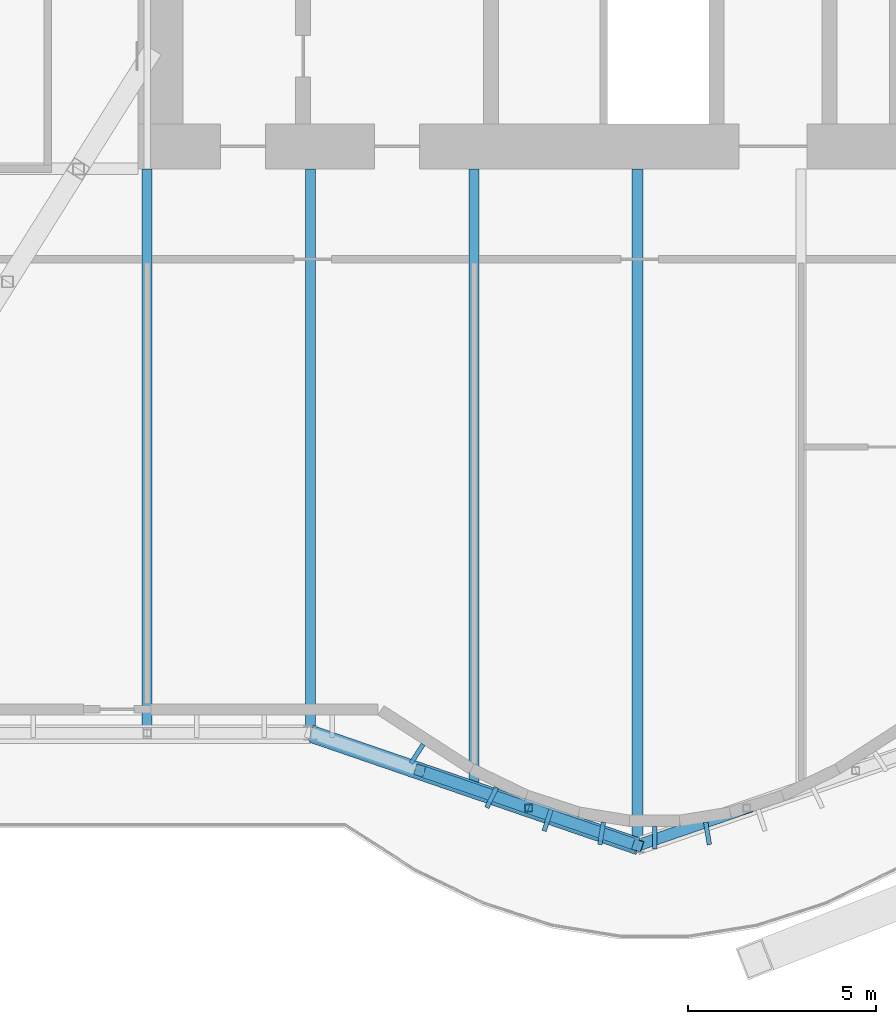
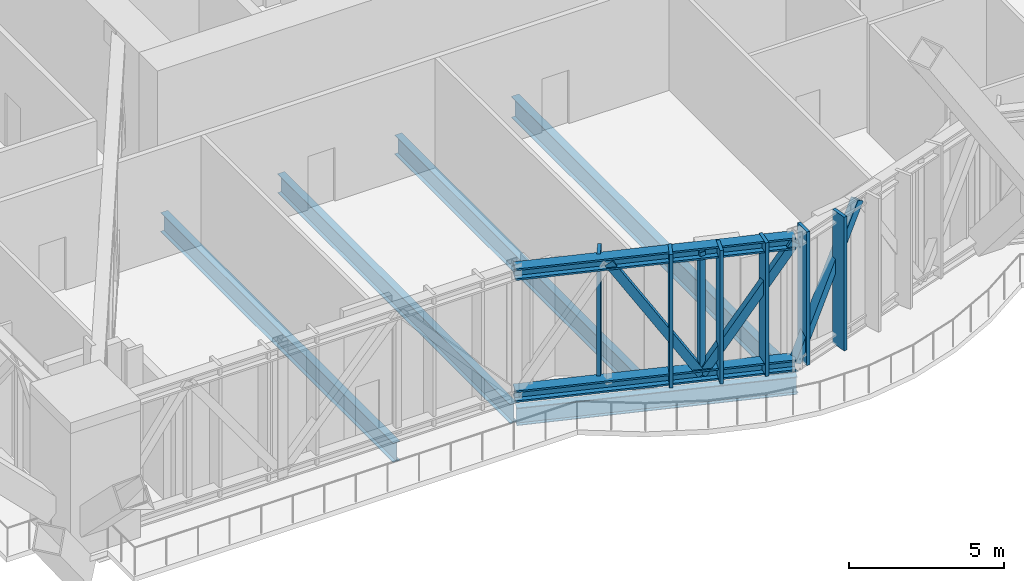
# One storey, part 6 of 31: 12 members, 5 beams, 1 element without a shape of its own.
"""IFC4 building model written with IfcOpenShell, lengths in metres."""

from ifc_helpers import new_model, si_unit, direction, frame, origin, origin_2d, place, context, subcontext, project, spatial, rectangle, hollow_rectangle, i_section, extrude, material, material_profile, profile_set, type_object, element, aggregate, save


model = new_model("IFC4")

# Units and contexts
model_context = context("Model", 3, precision=1e-05, world=origin(), true_north=direction((0.0, 1.0)))
body_context = subcontext(model_context, "Body", "Model", "MODEL_VIEW")
ifc_project = project(units=[si_unit("LENGTHUNIT", "METRE"), si_unit("AREAUNIT", "SQUARE_METRE"), si_unit("VOLUMEUNIT", "CUBIC_METRE"), si_unit("PLANEANGLEUNIT", "RADIAN"), si_unit("MASSUNIT", "GRAM", prefix="KILO")], contexts=[model_context])

# Site, building, storey
site_placement = place(None, origin())
site = spatial("IfcSite", under=ifc_project, at=site_placement, CompositionType="ELEMENT")
building_placement = place(site_placement, origin())
building = spatial("IfcBuilding", under=site, at=building_placement, Name="Bicima Exchange Tower", CompositionType="ELEMENT")
storey_placement = place(building_placement, frame((0.0, 0.0, 236.0)))
storey = spatial("IfcBuildingStorey", under=building, at=storey_placement, Name="L53", CompositionType="ELEMENT", Elevation=236.0)

# Curtain wall, members
ifc_material_1 = material(Name="Anodised bronze aluminium", Category="aluminium")
curtain_wall_type = type_object("IfcCurtainWallType", Name="Band blade screen", PredefinedType="NOTDEFINED", material=ifc_material_1)
curtain_wall_placement = place(storey_placement, origin())
curtain_wall = element("IfcCurtainWall", 1, at=curtain_wall_placement, inside=storey, type_object=curtain_wall_type, Name="Band blade screen L53", PredefinedType="NOTDEFINED")
ifc_material_profile_1 = material_profile(ifc_material_1, rectangle(XDim=0.60009765625, YDim=0.1201171875, at=origin_2d()))
ifc_profile_set_1 = profile_set([ifc_material_profile_1], Name="Anodised bronze aluminium")
member_type_1 = type_object("IfcMemberType", Name="Band blade fin 600 x 120", PredefinedType="USERDEFINED", material=ifc_profile_set_1)
member_1_placement = place(storey_placement, frame((-14.5703125, -28.564453125, 0.0), z_axis=(0.0, 0.0, 1.0), x_axis=(0.542916511621, 0.839786676132, 0.0)))
member_1 = element("IfcMember", 2, at=member_1_placement, type_object=member_type_1, Name="Band blade fin 25", ObjectType="FIN", PredefinedType="USERDEFINED", context=body_context, shape_type="SweptSolid", body=[
    extrude(rectangle(XDim=0.60009765625, YDim=0.1201171875, at=origin_2d()), origin(), (0.0, 0.0, 1.0), 5.25),
])
member_2_placement = place(storey_placement, frame((-12.583740234375, -29.7265625, 0.0), z_axis=(0.0, 0.0, 1.0), x_axis=(0.436286748784, 0.899807686584, 0.0)))
member_2 = element("IfcMember", 3, at=member_2_placement, type_object=member_type_1, Name="Band blade fin 26", ObjectType="FIN", PredefinedType="USERDEFINED", context=body_context, shape_type="SweptSolid", body=[
    extrude(rectangle(XDim=0.60009765625, YDim=0.1201171875, at=origin_2d()), origin(), (0.0, 0.0, 1.0), 5.25),
])
member_3_placement = place(storey_placement, frame((-11.096435546875, -30.330078125, 0.0), z_axis=(0.0, 0.0, 1.0), x_axis=(0.307552591055, 0.951531083956, 0.0)))
member_3 = element("IfcMember", 4, at=member_3_placement, type_object=member_type_1, Name="Band blade fin 27", ObjectType="FIN", PredefinedType="USERDEFINED", context=body_context, shape_type="SweptSolid", body=[
    extrude(rectangle(XDim=0.60009765625, YDim=0.1201171875, at=origin_2d()), origin(), (0.0, 0.0, 1.0), 5.25),
])
member_4_placement = place(storey_placement, frame((-9.65869140625, -30.680419921875, 0.0), z_axis=(0.0, 0.0, 1.0), x_axis=(0.159533156447, 0.987192570877, 0.0)))
member_4 = element("IfcMember", 5, at=member_4_placement, type_object=member_type_1, Name="Band blade fin 28", ObjectType="FIN", PredefinedType="USERDEFINED", context=body_context, shape_type="SweptSolid", body=[
    extrude(rectangle(XDim=0.60009765625, YDim=0.1201171875, at=origin_2d()), origin(), (0.0, 0.0, 1.0), 5.25),
])
member_5_placement = place(storey_placement, frame((-8.25, -30.794921875, 0.0), z_axis=(0.0, 0.0, 1.0), x_axis=(0.0, 1.0, 0.0)))
member_5 = element("IfcMember", 6, at=member_5_placement, type_object=member_type_1, Name="Band blade fin 29", ObjectType="FIN", PredefinedType="USERDEFINED", context=body_context, shape_type="SweptSolid", body=[
    extrude(rectangle(XDim=0.60009765625, YDim=0.1201171875, at=origin_2d()), origin(), (0.0, 0.0, 1.0), 5.25),
])
member_6_placement = place(storey_placement, frame((-6.84130859375, -30.680419921875, 0.0), z_axis=(0.0, 0.0, 1.0), x_axis=(-0.159533156447, 0.987192570877, 0.0)))
member_6 = element("IfcMember", 7, at=member_6_placement, type_object=member_type_1, Name="Band blade fin 30", ObjectType="FIN", PredefinedType="USERDEFINED", context=body_context, shape_type="SweptSolid", body=[
    extrude(rectangle(XDim=0.60009765625, YDim=0.1201171875, at=origin_2d()), origin(), (0.0, 0.0, 1.0), 5.25),
])
aggregate(curtain_wall, [member_1, member_2, member_3, member_4, member_5, member_6])

# Members
ifc_material_2 = material(Name="Steel ASTM A992 Gr 50", Category="steel")
ifc_material_profile_2 = material_profile(ifc_material_2, i_section(OverallWidth=0.419189453125, OverallDepth=0.45458984375, WebThickness=0.042236328125, FlangeThickness=0.067626953125, at=origin_2d()))
ifc_profile_set_2 = profile_set([ifc_material_profile_2], Name="Steel ASTM A992 Gr 50")
member_type_2 = type_object("IfcMemberType", Name="Belt truss chord W14x370", PredefinedType="CHORD", material=ifc_profile_set_2)
for number, where, z_axis, x_axis, name in (
    (8, (-17.39990234375, -28.010009765625, 5.022705078125), (0.945666456746, -0.325138359143, 0.0), (0.325138359143, 0.945666456746, 0.0), "Top chord"),
    (9, (-17.39990234375, -28.010009765625, 0.227294921875), (0.945666456746, -0.325138359143, 0.0), (0.325138359143, 0.945666456746, 0.0), "Bottom chord"),
):
    element("IfcMember", number, at=place(storey_placement, frame(where, z_axis=z_axis, x_axis=x_axis)), inside=storey, type_object=member_type_2, Name=name, PredefinedType="CHORD", context=body_context, shape_type="SweptSolid", body=[
        extrude(i_section(OverallWidth=0.419189453125, OverallDepth=0.45458984375, WebThickness=0.042236328125, FlangeThickness=0.067626953125, at=origin_2d()), origin(), (0.0, 0.0, 1.0), 9.19970703125),
    ])
ifc_material_3 = material(Name="Steel ASTM A572 Gr 50", Category="steel")
ifc_material_profile_3 = material_profile(ifc_material_3, hollow_rectangle(XDim=0.3046875, YDim=0.3046875, WallThickness=0.01171875, at=origin_2d()))
ifc_profile_set_3 = profile_set([ifc_material_profile_3], Name="Steel ASTM A572 Gr 50")
member_type_3 = type_object("IfcMemberType", Name="Belt truss diagonal HSS12x12x1/2", PredefinedType="STRUT", material=ifc_profile_set_3)
for number, where, z_axis, x_axis, name in (
    (10, (-14.5, -29.007080078125, 5.022705078125), (0.509468344066, -0.175127062538, -0.842479980986), (0.325075318312, 0.945688129049, 0.0), "Truss diagonal"),
    (11, (-11.60009765625, -30.00390625, 0.227294921875), (0.509492446291, -0.175206384637, 0.842448912371), (0.325193231743, 0.945647588708, 0.0), "Truss diagonal"),
    (12, (-8.699951171875, -31.001220703125, 0.227294921875), (0.509460688613, 0.17521021325, 0.842467321581), (-0.325217713975, 0.945639169301, 0.0), "Truss diagonal"),
):
    element("IfcMember", number, at=place(storey_placement, frame(where, z_axis=z_axis, x_axis=x_axis)), inside=storey, type_object=member_type_3, Name=name, PredefinedType="STRUT", context=body_context, shape_type="SweptSolid", body=[
        extrude(hollow_rectangle(XDim=0.3046875, YDim=0.3046875, WallThickness=0.01171875, at=origin_2d()), origin(), (0.0, 0.0, 1.0), 5.692138671875),
    ])
ifc_material_profile_4 = material_profile(ifc_material_3, hollow_rectangle(XDim=0.203125, YDim=0.203125, WallThickness=0.01171875, at=origin_2d()))
ifc_profile_set_4 = profile_set([ifc_material_profile_4], Name="Steel ASTM A572 Gr 50")
member_type_4 = type_object("IfcMemberType", Name="Belt truss post HSS8x8x1/2", PredefinedType="POST", material=ifc_profile_set_4)
member_7_placement = place(storey_placement, frame((-11.60009765625, -30.00390625, 0.227294921875), z_axis=(0.0, 0.0, 1.0), x_axis=(1.0, 0.0, 0.0)))
element("IfcMember", 13, at=member_7_placement, inside=storey, type_object=member_type_4, Name="Truss post", PredefinedType="POST", context=body_context, shape_type="SweptSolid", body=[
    extrude(hollow_rectangle(XDim=0.203125, YDim=0.203125, WallThickness=0.01171875, at=origin_2d()), origin(), (0.0, 0.0, 1.0), 4.79541015625),
])

# Beams
ifc_material_profile_5 = material_profile(ifc_material_2, i_section(OverallWidth=0.2666015625, OverallDepth=0.75439453125, WebThickness=0.01318359375, FlangeThickness=0.01708984375, at=origin_2d()))
ifc_profile_set_5 = profile_set([ifc_material_profile_5], Name="Steel ASTM A992 Gr 50")
beam_type_1 = type_object("IfcBeamType", Name="Floor beam W30x99", PredefinedType="JOIST", material=ifc_profile_set_5)
for number, where, z_axis, x_axis, name in (
    (14, (-21.75, -13.0, -0.5771484375), (0.0, -1.0, 0.0), (1.0, 0.0, 0.0), "Floor beam"),
    (15, (-17.39990234375, -13.0, -0.5771484375), (0.0, -1.0, 0.0), (1.0, 0.0, 0.0), "Floor beam"),
):
    element("IfcBeam", number, at=place(storey_placement, frame(where, z_axis=z_axis, x_axis=x_axis)), inside=storey, type_object=beam_type_1, Name=name, PredefinedType="JOIST", context=body_context, shape_type="SweptSolid", body=[
        extrude(i_section(OverallWidth=0.2666015625, OverallDepth=0.75439453125, WebThickness=0.01318359375, FlangeThickness=0.01708984375, at=origin_2d()), origin(), (0.0, 0.0, 1.0), 14.969482421875),
    ])
beam_1_placement = place(storey_placement, frame((-13.050048828125, -13.0, -0.5771484375), z_axis=(0.0, -1.0, 0.0), x_axis=(1.0, 0.0, 0.0)))
element("IfcBeam", 16, at=beam_1_placement, inside=storey, type_object=beam_type_1, Name="Floor beam", PredefinedType="JOIST", context=body_context, shape_type="SweptSolid", body=[
    extrude(i_section(OverallWidth=0.2666015625, OverallDepth=0.75439453125, WebThickness=0.01318359375, FlangeThickness=0.01708984375, at=origin_2d()), origin(), (0.0, 0.0, 1.0), 16.491943359375),
])
ifc_material_profile_6 = material_profile(ifc_material_2, i_section(OverallWidth=0.2919921875, OverallDepth=0.835693359375, WebThickness=0.013916015625, FlangeThickness=0.018798828125, at=origin_2d()))
ifc_profile_set_6 = profile_set([ifc_material_profile_6], Name="Steel ASTM A992 Gr 50")
beam_type_2 = type_object("IfcBeamType", Name="Floor beam W33x118", PredefinedType="JOIST", material=ifc_profile_set_6)
beam_2_placement = place(storey_placement, frame((-8.699951171875, -13.0, -0.617919921875), z_axis=(0.0, -1.0, 0.0), x_axis=(1.0, 0.0, 0.0)))
element("IfcBeam", 17, at=beam_2_placement, inside=storey, type_object=beam_type_2, Name="Floor beam", PredefinedType="JOIST", context=body_context, shape_type="SweptSolid", body=[
    extrude(i_section(OverallWidth=0.2919921875, OverallDepth=0.835693359375, WebThickness=0.013916015625, FlangeThickness=0.018798828125, at=origin_2d()), origin(), (0.0, 0.0, 1.0), 17.9873046875),
])
ifc_material_profile_7 = material_profile(ifc_material_2, i_section(OverallWidth=0.256591796875, OverallDepth=0.693359375, WebThickness=0.014404296875, FlangeThickness=0.023681640625, at=origin_2d()))
ifc_profile_set_7 = profile_set([ifc_material_profile_7], Name="Steel ASTM A992 Gr 50")
beam_type_3 = type_object("IfcBeamType", Name="Front girder W27x114", PredefinedType="BEAM", material=ifc_profile_set_7)
beam_3_placement = place(storey_placement, frame((-17.39990234375, -28.132080078125, -0.546630859375), z_axis=(0.945674616091, -0.32511462668, 0.0), x_axis=(0.32511462668, 0.945674616091, 0.0)))
element("IfcBeam", 18, at=beam_3_placement, inside=storey, type_object=beam_type_3, Name="Front girder", PredefinedType="BEAM", context=body_context, shape_type="SweptSolid", body=[
    extrude(i_section(OverallWidth=0.256591796875, OverallDepth=0.693359375, WebThickness=0.014404296875, FlangeThickness=0.023681640625, at=origin_2d()), origin(), (0.0, 0.0, 1.0), 9.19970703125),
])

save(model, "model.ifc")
